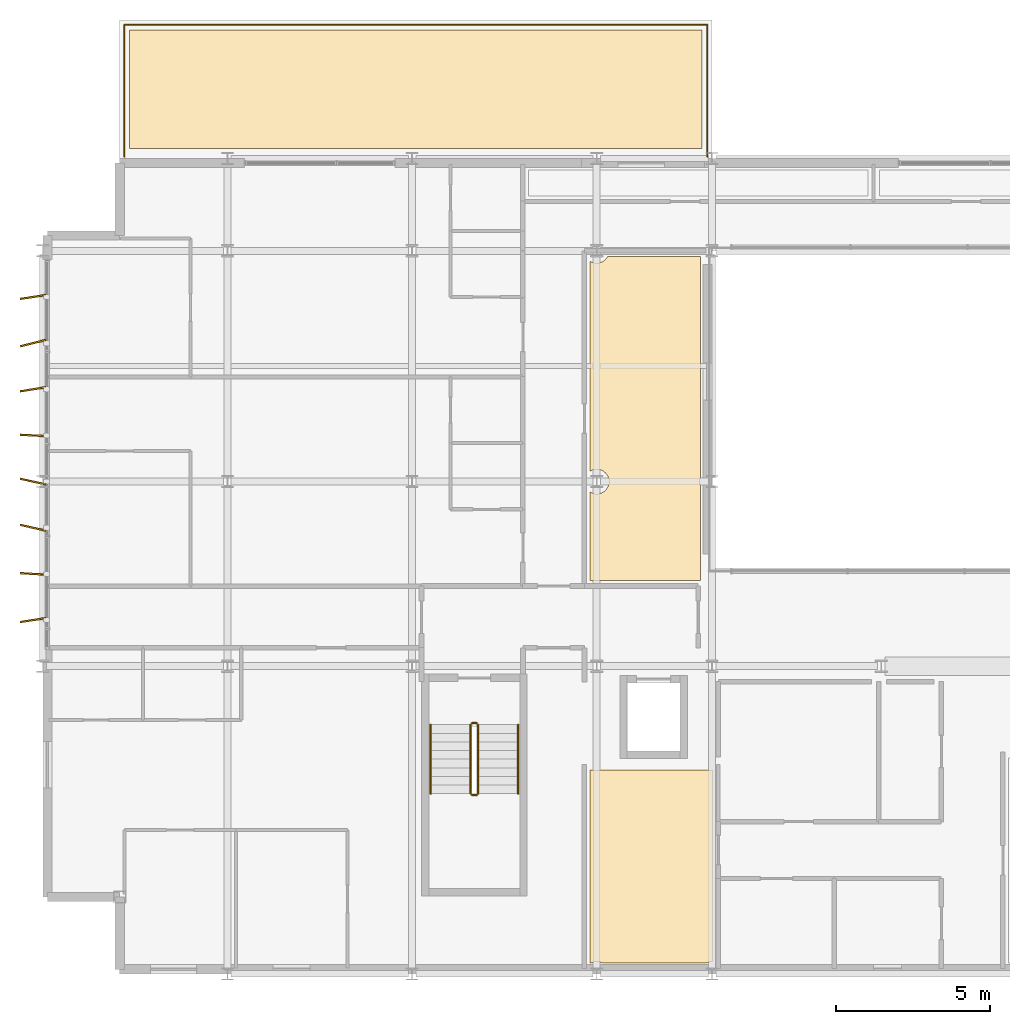
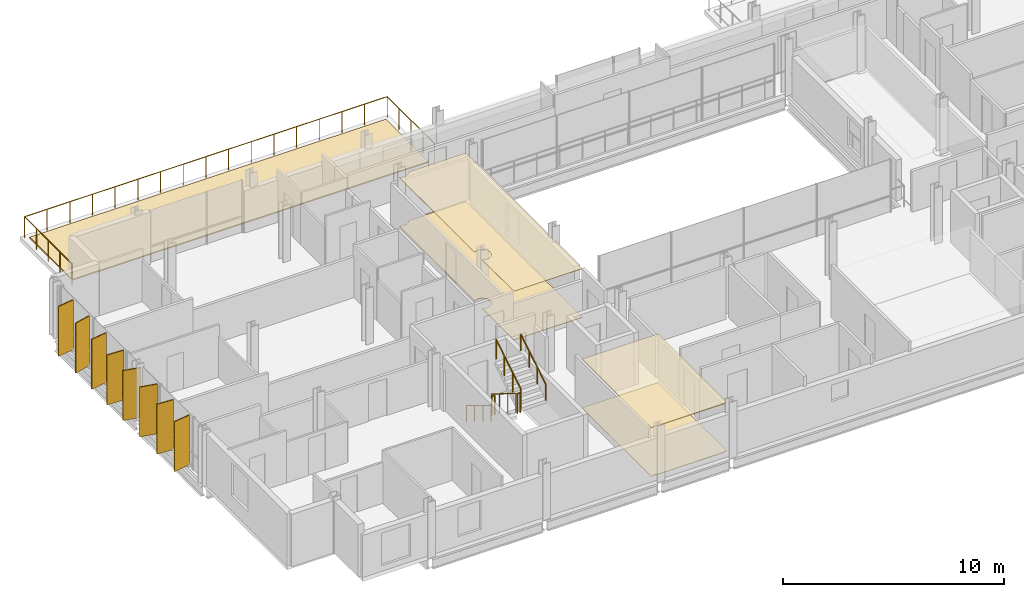
# One storey, part 35 of 38: 8 shading devices, 7 railings, 5 coverings.
"""IFC4 building model written with IfcOpenShell, lengths in metres."""

from ifc_helpers import new_model, si_unit, direction, frame, origin, origin_2d, place, context, subcontext, project, spatial, polyline, rectangle, circle, outline, extrude, material, layer, layer_set, type_object, element, save


model = new_model("IFC4")

# Units and contexts
model_context = context("Model", 3, precision=1e-05, world=origin(), true_north=direction((0.0, 1.0)))
body_context = subcontext(model_context, "Body", "Model", "MODEL_VIEW")
ifc_project = project(units=[si_unit("LENGTHUNIT", "METRE"), si_unit("AREAUNIT", "SQUARE_METRE"), si_unit("VOLUMEUNIT", "CUBIC_METRE"), si_unit("PLANEANGLEUNIT", "RADIAN"), si_unit("MASSUNIT", "GRAM", prefix="KILO")], contexts=[model_context])

# Site, building, storey
site_placement = place(None, origin())
site = spatial("IfcSite", under=ifc_project, at=site_placement, CompositionType="ELEMENT")
building_placement = place(site_placement, origin())
building = spatial("IfcBuilding", under=site, at=building_placement, Name="Brevholm Reach", CompositionType="ELEMENT")
storey_placement = place(building_placement, frame((0.0, 0.0, 172.800048828125)))
storey = spatial("IfcBuildingStorey", under=building, at=storey_placement, Name="L52", CompositionType="ELEMENT", Elevation=172.800048828125)

# Coverings
ifc_material_1 = material(Name="Perforated Mineral-Fibre Class-A Acoustic Suspended Ceiling", Category="gypsum")
ifc_layer_1 = layer(ifc_material_1, 0.044921875)
ifc_layer_set_1 = layer_set([ifc_layer_1], Name="Perforated Mineral-Fibre Class-A Acoustic Suspended Ceiling")
covering_type_1 = type_object("IfcCoveringType", Name="COV-CLG-AC", PredefinedType="CEILING", material=ifc_layer_set_1)
covering_1_placement = place(storey_placement, frame((0.0, 0.0, 2.675048828125)))
element("IfcCovering", 1, at=covering_1_placement, inside=storey, type_object=covering_type_1, Name="L52 Suspended Ceiling L52-23", PredefinedType="CEILING", context=body_context, shape_type="SweptSolid", body=[
    extrude(outline(polyline([(21.76611328125, 6.6201171875), (21.76611328125, 0.399169921875), (21.75, 0.39990234375), (21.710693359375, 0.398193359375), (21.672119140625, 0.392333984375), (21.6337890625, 0.3828125), (21.596923828125, 0.36962890625), (21.57666015625, 0.360107421875), (18.17333984375, 0.360107421875), (18.153076171875, 0.36962890625), (18.1162109375, 0.3828125), (18.077880859375, 0.392333984375), (18.039306640625, 0.398193359375), (18.0, 0.39990234375), (17.960693359375, 0.398193359375), (17.922119140625, 0.392333984375), (17.8837890625, 0.3828125), (17.846923828125, 0.36962890625), (17.82666015625, 0.360107421875), (17.783935546875, 0.360107421875), (17.783935546875, 6.6201171875), (21.76611328125, 6.6201171875)])), origin(), (0.0, 0.0, 1.0), 0.044921875),
])
ifc_material_2 = material(Name="Moisture-Resistant Skimmed Gypsum Plasterboard Ceiling", Category="gypsum")
ifc_layer_2 = layer(ifc_material_2, 0.030029296875)
ifc_layer_set_2 = layer_set([ifc_layer_2], Name="Moisture-Resistant Skimmed Gypsum Plasterboard Ceiling")
covering_type_2 = type_object("IfcCoveringType", Name="COV-CLG-GYP", PredefinedType="CEILING", material=ifc_layer_set_2)
covering_2_placement = place(storey_placement, frame((0.0, 0.0, 2.68994140625)))
element("IfcCovering", 2, at=covering_2_placement, inside=storey, type_object=covering_type_2, Name="L52 Suspended Ceiling L52-54", PredefinedType="CEILING", context=body_context, shape_type="SweptSolid", body=[
    extrude(outline(polyline([(21.3701171875, 23.320068359375), (21.3701171875, 16.123779296875), (21.3671875, 16.1162109375), (21.357666015625, 16.077880859375), (21.351806640625, 16.039306640625), (21.35009765625, 16.0), (21.351806640625, 15.960693359375), (21.357666015625, 15.922119140625), (21.3671875, 15.8837890625), (21.3701171875, 15.876220703125), (21.3701171875, 12.783935546875), (17.783935546875, 12.783935546875), (17.783935546875, 15.663818359375), (17.811279296875, 15.647216796875), (17.846923828125, 15.63037109375), (17.8837890625, 15.6171875), (17.922119140625, 15.607666015625), (17.960693359375, 15.601806640625), (18.0, 15.60009765625), (18.039306640625, 15.601806640625), (18.077880859375, 15.607666015625), (18.1162109375, 15.6171875), (18.153076171875, 15.63037109375), (18.188720703125, 15.647216796875), (18.22216796875, 15.66748046875), (18.25390625, 15.69091796875), (18.28271484375, 15.71728515625), (18.30908203125, 15.74609375), (18.33251953125, 15.77783203125), (18.352783203125, 15.811279296875), (18.36962890625, 15.846923828125), (18.3828125, 15.8837890625), (18.392333984375, 15.922119140625), (18.398193359375, 15.960693359375), (18.39990234375, 16.0), (18.398193359375, 16.039306640625), (18.392333984375, 16.077880859375), (18.3828125, 16.1162109375), (18.36962890625, 16.153076171875), (18.352783203125, 16.188720703125), (18.33251953125, 16.22216796875), (18.30908203125, 16.25390625), (18.28271484375, 16.28271484375), (18.25390625, 16.30908203125), (18.22216796875, 16.33251953125), (18.188720703125, 16.352783203125), (18.153076171875, 16.36962890625), (18.1162109375, 16.3828125), (18.077880859375, 16.392333984375), (18.039306640625, 16.398193359375), (18.0, 16.39990234375), (17.960693359375, 16.398193359375), (17.922119140625, 16.392333984375), (17.8837890625, 16.3828125), (17.846923828125, 16.36962890625), (17.811279296875, 16.352783203125), (17.783935546875, 16.336181640625), (17.783935546875, 23.163818359375), (17.811279296875, 23.147216796875), (17.846923828125, 23.13037109375), (17.8837890625, 23.1171875), (17.922119140625, 23.107666015625), (17.960693359375, 23.101806640625), (18.0, 23.10009765625), (18.039306640625, 23.101806640625), (18.077880859375, 23.107666015625), (18.1162109375, 23.1171875), (18.153076171875, 23.13037109375), (18.188720703125, 23.147216796875), (18.22216796875, 23.16748046875), (18.25390625, 23.19091796875), (18.28271484375, 23.21728515625), (18.30908203125, 23.24609375), (18.33251953125, 23.27783203125), (18.352783203125, 23.311279296875), (18.356689453125, 23.320068359375), (21.3701171875, 23.320068359375)])), origin(), (0.0, 0.0, 1.0), 0.030029296875),
])
ifc_material_3 = material(Name="Engineered European Oak Acoustic Plank Flooring", Category="timber")
ifc_layer_3 = layer(ifc_material_3, 0.02197265625)
ifc_layer_set_3 = layer_set([ifc_layer_3], Name="Engineered European Oak Acoustic Plank Flooring")
covering_type_3 = type_object("IfcCoveringType", Name="COV-FLR-OAK", PredefinedType="FLOORING", material=ifc_layer_set_3)
covering_3_placement = place(storey_placement, origin())
element("IfcCovering", 3, at=covering_3_placement, inside=storey, type_object=covering_type_3, Name="L52 Floor Finish L52-23", PredefinedType="FLOORING", context=body_context, shape_type="SweptSolid", body=[
    extrude(outline(polyline([(21.76611328125, 6.6201171875), (21.76611328125, 0.399169921875), (21.75, 0.39990234375), (21.710693359375, 0.398193359375), (21.672119140625, 0.392333984375), (21.6337890625, 0.3828125), (21.596923828125, 0.36962890625), (21.57666015625, 0.360107421875), (18.17333984375, 0.360107421875), (18.153076171875, 0.36962890625), (18.1162109375, 0.3828125), (18.077880859375, 0.392333984375), (18.039306640625, 0.398193359375), (18.0, 0.39990234375), (17.960693359375, 0.398193359375), (17.922119140625, 0.392333984375), (17.8837890625, 0.3828125), (17.846923828125, 0.36962890625), (17.82666015625, 0.360107421875), (17.783935546875, 0.360107421875), (17.783935546875, 6.6201171875), (21.76611328125, 6.6201171875)])), origin(), (0.0, 0.0, 1.0), 0.02197265625),
])
ifc_material_4 = material(Name="Honed Portland-Aggregate Resin Terrazzo Flooring", Category="concrete")
ifc_layer_4 = layer(ifc_material_4, 0.031982421875)
ifc_layer_set_4 = layer_set([ifc_layer_4], Name="Honed Portland-Aggregate Resin Terrazzo Flooring")
covering_type_4 = type_object("IfcCoveringType", Name="COV-FLR-TRZ", PredefinedType="FLOORING", material=ifc_layer_set_4)
covering_4_placement = place(storey_placement, origin())
element("IfcCovering", 4, at=covering_4_placement, inside=storey, type_object=covering_type_4, Name="L52 Floor Finish L52-54", PredefinedType="FLOORING", context=body_context, shape_type="SweptSolid", body=[
    extrude(outline(polyline([(21.3701171875, 23.320068359375), (21.3701171875, 16.123779296875), (21.3671875, 16.1162109375), (21.357666015625, 16.077880859375), (21.351806640625, 16.039306640625), (21.35009765625, 16.0), (21.351806640625, 15.960693359375), (21.357666015625, 15.922119140625), (21.3671875, 15.8837890625), (21.3701171875, 15.876220703125), (21.3701171875, 12.783935546875), (17.783935546875, 12.783935546875), (17.783935546875, 15.663818359375), (17.811279296875, 15.647216796875), (17.846923828125, 15.63037109375), (17.8837890625, 15.6171875), (17.922119140625, 15.607666015625), (17.960693359375, 15.601806640625), (18.0, 15.60009765625), (18.039306640625, 15.601806640625), (18.077880859375, 15.607666015625), (18.1162109375, 15.6171875), (18.153076171875, 15.63037109375), (18.188720703125, 15.647216796875), (18.22216796875, 15.66748046875), (18.25390625, 15.69091796875), (18.28271484375, 15.71728515625), (18.30908203125, 15.74609375), (18.33251953125, 15.77783203125), (18.352783203125, 15.811279296875), (18.36962890625, 15.846923828125), (18.3828125, 15.8837890625), (18.392333984375, 15.922119140625), (18.398193359375, 15.960693359375), (18.39990234375, 16.0), (18.398193359375, 16.039306640625), (18.392333984375, 16.077880859375), (18.3828125, 16.1162109375), (18.36962890625, 16.153076171875), (18.352783203125, 16.188720703125), (18.33251953125, 16.22216796875), (18.30908203125, 16.25390625), (18.28271484375, 16.28271484375), (18.25390625, 16.30908203125), (18.22216796875, 16.33251953125), (18.188720703125, 16.352783203125), (18.153076171875, 16.36962890625), (18.1162109375, 16.3828125), (18.077880859375, 16.392333984375), (18.039306640625, 16.398193359375), (18.0, 16.39990234375), (17.960693359375, 16.398193359375), (17.922119140625, 16.392333984375), (17.8837890625, 16.3828125), (17.846923828125, 16.36962890625), (17.811279296875, 16.352783203125), (17.783935546875, 16.336181640625), (17.783935546875, 23.163818359375), (17.811279296875, 23.147216796875), (17.846923828125, 23.13037109375), (17.8837890625, 23.1171875), (17.922119140625, 23.107666015625), (17.960693359375, 23.101806640625), (18.0, 23.10009765625), (18.039306640625, 23.101806640625), (18.077880859375, 23.107666015625), (18.1162109375, 23.1171875), (18.153076171875, 23.13037109375), (18.188720703125, 23.147216796875), (18.22216796875, 23.16748046875), (18.25390625, 23.19091796875), (18.28271484375, 23.21728515625), (18.30908203125, 23.24609375), (18.33251953125, 23.27783203125), (18.352783203125, 23.311279296875), (18.356689453125, 23.320068359375), (21.3701171875, 23.320068359375)])), origin(), (0.0, 0.0, 1.0), 0.031982421875),
])
ifc_material_5 = material(Name="SBS Polymer-Modified Bitumen Waterproofing and Paver Membrane", Category="membrane")
ifc_layer_5 = layer(ifc_material_5, 0.06494140625)
ifc_layer_set_5 = layer_set([ifc_layer_5], Name="SBS Polymer-Modified Bitumen Waterproofing and Paver Membrane")
covering_type_5 = type_object("IfcCoveringType", Name="COV-ROF-65", PredefinedType="ROOFING", material=ifc_layer_set_5)
covering_5_placement = place(storey_placement, frame((0.0, 0.0, 0.030029296875)))
element("IfcCovering", 5, at=covering_5_placement, inside=storey, type_object=covering_type_5, Name="L52 Waterproof Terrace Roofing Membrane 4", PredefinedType="ROOFING", context=body_context, shape_type="SweptSolid", body=[
    extrude(outline(polyline([(2.820068359375, 26.820068359375), (2.820068359375, 30.679931640625), (21.429931640625, 30.679931640625), (21.429931640625, 26.820068359375), (2.820068359375, 26.820068359375)])), origin(), (0.0, 0.0, 1.0), 0.06494140625),
])

# Railings
ifc_material_6 = material(Name="Brushed Stainless Steel EN 1.4401 Continuous Handrail", Category="steel")
railing_type_1 = type_object("IfcRailingType", Name="RAL-HND-950", PredefinedType="HANDRAIL", material=ifc_material_6)
railing_1_placement = place(storey_placement, frame((12.60009765625, 8.10009765625, 0.172119140625)))
element("IfcRailing", 6, at=railing_1_placement, inside=storey, type_object=railing_type_1, Name="L52 ST-1 stair handrail 1", PredefinedType="HANDRAIL", context=body_context, shape_type="SweptSolid", body=[
    extrude(circle(Radius=0.02392578125, at=origin_2d()), frame((0.0, 0.0, 0.8857421875), z_axis=(0.0, -0.851747552033, 0.523952390591), x_axis=(1.0, 0.0, 0.0)), (0.0, 0.0, 1.0), 2.6298828125),
    extrude(circle(Radius=0.02099609375, at=origin_2d()), origin(), (0.0, 0.0, 1.0), 0.86181640625),
    extrude(circle(Radius=0.02099609375, at=origin_2d()), frame((0.0, -0.74658203125, 0.459228515625)), (0.0, 0.0, 1.0), 0.86181640625),
    extrude(circle(Radius=0.02099609375, at=origin_2d()), frame((0.0, -1.493408203125, 0.918701171875)), (0.0, 0.0, 1.0), 0.86181640625),
    extrude(circle(Radius=0.02099609375, at=origin_2d()), frame((0.0, -2.239990234375, 1.3779296875)), (0.0, 0.0, 1.0), 0.86181640625),
])
railing_2_placement = place(storey_placement, frame((15.449951171875, 5.860107421875, 1.72216796875)))
element("IfcRailing", 7, at=railing_2_placement, inside=storey, type_object=railing_type_1, Name="L52 ST-1 stair handrail 2", PredefinedType="HANDRAIL", context=body_context, shape_type="SweptSolid", body=[
    extrude(circle(Radius=0.02392578125, at=origin_2d()), frame((0.0, 0.0, 0.8857421875), z_axis=(0.0, 0.85178898068, 0.523885037382), x_axis=(-1.0, 0.0, 0.0)), (0.0, 0.0, 1.0), 2.629638671875),
    extrude(circle(Radius=0.02099609375, at=origin_2d()), origin(), (0.0, 0.0, 1.0), 0.86181640625),
    extrude(circle(Radius=0.02099609375, at=origin_2d()), frame((0.0, 0.74658203125, 0.459228515625)), (0.0, 0.0, 1.0), 0.86181640625),
    extrude(circle(Radius=0.02099609375, at=origin_2d()), frame((0.0, 1.493408203125, 0.91845703125)), (0.0, 0.0, 1.0), 0.86181640625),
    extrude(circle(Radius=0.02099609375, at=origin_2d()), frame((0.0, 2.239990234375, 1.377685546875)), (0.0, 0.0, 1.0), 0.86181640625),
])
ifc_material_7 = material(Name="Painted Tubular Galvanised Steel S275JR Stair Guard", Category="steel")
railing_type_2 = type_object("IfcRailingType", Name="RAL-STG-1120", PredefinedType="BALUSTRADE", material=ifc_material_7)
railing_3_placement = place(storey_placement, frame((13.89990234375, 8.10009765625, 0.172119140625)))
element("IfcRailing", 8, at=railing_3_placement, inside=storey, type_object=railing_type_2, Name="L52 ST-1 stair guard 1", PredefinedType="BALUSTRADE", context=body_context, shape_type="SweptSolid", body=[
    extrude(circle(Radius=0.02392578125, at=origin_2d()), frame((0.0, 0.0, 1.076171875), z_axis=(0.0, -0.851747552033, 0.523952390591), x_axis=(1.0, 0.0, 0.0)), (0.0, 0.0, 1.0), 2.6298828125),
    extrude(circle(Radius=0.02099609375, at=origin_2d()), origin(), (0.0, 0.0, 1.0), 1.052001953125),
    extrude(circle(Radius=0.02099609375, at=origin_2d()), frame((0.0, -0.74658203125, 0.459228515625)), (0.0, 0.0, 1.0), 1.052001953125),
    extrude(circle(Radius=0.02099609375, at=origin_2d()), frame((0.0, -1.493408203125, 0.918701171875)), (0.0, 0.0, 1.0), 1.052001953125),
    extrude(circle(Radius=0.02099609375, at=origin_2d()), frame((0.0, -2.239990234375, 1.3779296875)), (0.0, 0.0, 1.0), 1.052001953125),
])
railing_4_placement = place(storey_placement, frame((13.949951171875, 5.81005859375, 1.550048828125)))
element("IfcRailing", 9, at=railing_4_placement, inside=storey, type_object=railing_type_2, Name="L52 ST-1 stair guard 2", PredefinedType="BALUSTRADE", context=body_context, shape_type="SweptSolid", body=[
    extrude(circle(Radius=0.02392578125, at=origin_2d()), frame((0.0, 0.0, 1.076171875), z_axis=(1.0, 0.0, 0.0), x_axis=(0.0, 1.0, 0.0)), (0.0, 0.0, 1.0), 0.150146484375),
    extrude(circle(Radius=0.02099609375, at=origin_2d()), origin(), (0.0, 0.0, 1.0), 1.052001953125),
    extrude(circle(Radius=0.02099609375, at=origin_2d()), frame((0.150146484375, 0.0, 0.0)), (0.0, 0.0, 1.0), 1.052001953125),
])
railing_5_placement = place(storey_placement, frame((14.14990234375, 5.860107421875, 1.72216796875)))
element("IfcRailing", 10, at=railing_5_placement, inside=storey, type_object=railing_type_2, Name="L52 ST-1 stair guard 3", PredefinedType="BALUSTRADE", context=body_context, shape_type="SweptSolid", body=[
    extrude(circle(Radius=0.02392578125, at=origin_2d()), frame((0.0, 0.0, 1.076171875), z_axis=(0.0, 0.85178898068, 0.523885037382), x_axis=(-1.0, 0.0, 0.0)), (0.0, 0.0, 1.0), 2.629638671875),
    extrude(circle(Radius=0.02099609375, at=origin_2d()), origin(), (0.0, 0.0, 1.0), 1.052001953125),
    extrude(circle(Radius=0.02099609375, at=origin_2d()), frame((0.0, 0.74658203125, 0.459228515625)), (0.0, 0.0, 1.0), 1.052001953125),
    extrude(circle(Radius=0.02099609375, at=origin_2d()), frame((0.0, 1.493408203125, 0.91845703125)), (0.0, 0.0, 1.0), 1.052001953125),
    extrude(circle(Radius=0.02099609375, at=origin_2d()), frame((0.0, 2.239990234375, 1.377685546875)), (0.0, 0.0, 1.0), 1.052001953125),
])
railing_6_placement = place(storey_placement, frame((13.949951171875, 8.14990234375, 0.0)))
element("IfcRailing", 11, at=railing_6_placement, inside=storey, type_object=railing_type_2, Name="L52 ST-1 stair guard 4", PredefinedType="BALUSTRADE", context=body_context, shape_type="SweptSolid", body=[
    extrude(circle(Radius=0.02392578125, at=origin_2d()), frame((0.0, 0.0, 1.076171875), z_axis=(1.0, 0.0, 0.0), x_axis=(0.0, 1.0, 0.0)), (0.0, 0.0, 1.0), 0.150146484375),
    extrude(circle(Radius=0.02099609375, at=origin_2d()), origin(), (0.0, 0.0, 1.0), 1.052001953125),
    extrude(circle(Radius=0.02099609375, at=origin_2d()), frame((0.150146484375, 0.0, 0.0)), (0.0, 0.0, 1.0), 1.052001953125),
])
ifc_material_8 = material(Name="Brushed Stainless Steel EN 1.4401 and Laminated Glass", Category="steel")
railing_type_3 = type_object("IfcRailingType", Name="RAL-TERR-1200", PredefinedType="BALUSTRADE", material=ifc_material_8)
railing_7_placement = place(storey_placement, frame((2.64990234375, 26.550048828125, 0.0)))
element("IfcRailing", 12, at=railing_7_placement, inside=storey, type_object=railing_type_3, Name="L52 Guard Balustrade RAL-L52-TERR-NW", PredefinedType="BALUSTRADE", context=body_context, shape_type="SweptSolid", body=[
    extrude(circle(Radius=0.02392578125, at=origin_2d()), frame((0.0, 0.0, 1.17578125), z_axis=(0.0, 1.0, 0.0), x_axis=(-1.0, 0.0, 0.0)), (0.0, 0.0, 1.0), 4.300048828125),
    extrude(circle(Radius=0.02392578125, at=origin_2d()), frame((0.0, 4.300048828125, 1.17578125), z_axis=(1.0, 0.0, 0.0), x_axis=(0.0, 1.0, 0.0)), (0.0, 0.0, 1.0), 18.9501953125),
    extrude(circle(Radius=0.02392578125, at=origin_2d()), frame((18.9501953125, 4.300048828125, 1.17578125), z_axis=(0.0, -1.0, 0.0), x_axis=(1.0, 0.0, 0.0)), (0.0, 0.0, 1.0), 4.300048828125),
    extrude(circle(Radius=0.02099609375, at=origin_2d()), origin(), (0.0, 0.0, 1.0), 1.15185546875),
    extrude(circle(Radius=0.02099609375, at=origin_2d()), frame((0.0, 1.074951171875, 0.0)), (0.0, 0.0, 1.0), 1.15185546875),
    extrude(circle(Radius=0.02099609375, at=origin_2d()), frame((0.0, 2.14990234375, 0.0)), (0.0, 0.0, 1.0), 1.15185546875),
    extrude(circle(Radius=0.02099609375, at=origin_2d()), frame((0.0, 3.22509765625, 0.0)), (0.0, 0.0, 1.0), 1.15185546875),
    extrude(circle(Radius=0.02099609375, at=origin_2d()), frame((0.0, 4.300048828125, 0.0)), (0.0, 0.0, 1.0), 1.15185546875),
    extrude(circle(Radius=0.02099609375, at=origin_2d()), frame((1.184326171875, 4.300048828125, 0.0)), (0.0, 0.0, 1.0), 1.15185546875),
    extrude(circle(Radius=0.02099609375, at=origin_2d()), frame((2.36865234375, 4.300048828125, 0.0)), (0.0, 0.0, 1.0), 1.15185546875),
    extrude(circle(Radius=0.02099609375, at=origin_2d()), frame((3.55322265625, 4.300048828125, 0.0)), (0.0, 0.0, 1.0), 1.15185546875),
    extrude(circle(Radius=0.02099609375, at=origin_2d()), frame((4.737548828125, 4.300048828125, 0.0)), (0.0, 0.0, 1.0), 1.15185546875),
    extrude(circle(Radius=0.02099609375, at=origin_2d()), frame((5.921875, 4.300048828125, 0.0)), (0.0, 0.0, 1.0), 1.15185546875),
    extrude(circle(Radius=0.02099609375, at=origin_2d()), frame((7.1064453125, 4.300048828125, 0.0)), (0.0, 0.0, 1.0), 1.15185546875),
    extrude(circle(Radius=0.02099609375, at=origin_2d()), frame((8.290771484375, 4.300048828125, 0.0)), (0.0, 0.0, 1.0), 1.15185546875),
    extrude(circle(Radius=0.02099609375, at=origin_2d()), frame((9.47509765625, 4.300048828125, 0.0)), (0.0, 0.0, 1.0), 1.15185546875),
    extrude(circle(Radius=0.02099609375, at=origin_2d()), frame((10.659423828125, 4.300048828125, 0.0)), (0.0, 0.0, 1.0), 1.15185546875),
    extrude(circle(Radius=0.02099609375, at=origin_2d()), frame((11.84375, 4.300048828125, 0.0)), (0.0, 0.0, 1.0), 1.15185546875),
    extrude(circle(Radius=0.02099609375, at=origin_2d()), frame((13.0283203125, 4.300048828125, 0.0)), (0.0, 0.0, 1.0), 1.15185546875),
    extrude(circle(Radius=0.02099609375, at=origin_2d()), frame((14.212646484375, 4.300048828125, 0.0)), (0.0, 0.0, 1.0), 1.15185546875),
    extrude(circle(Radius=0.02099609375, at=origin_2d()), frame((15.39697265625, 4.300048828125, 0.0)), (0.0, 0.0, 1.0), 1.15185546875),
    extrude(circle(Radius=0.02099609375, at=origin_2d()), frame((16.58154296875, 4.300048828125, 0.0)), (0.0, 0.0, 1.0), 1.15185546875),
    extrude(circle(Radius=0.02099609375, at=origin_2d()), frame((17.765869140625, 4.300048828125, 0.0)), (0.0, 0.0, 1.0), 1.15185546875),
    extrude(circle(Radius=0.02099609375, at=origin_2d()), frame((18.9501953125, 4.300048828125, 0.0)), (0.0, 0.0, 1.0), 1.15185546875),
    extrude(circle(Radius=0.02099609375, at=origin_2d()), frame((18.9501953125, 3.22509765625, 0.0)), (0.0, 0.0, 1.0), 1.15185546875),
    extrude(circle(Radius=0.02099609375, at=origin_2d()), frame((18.9501953125, 2.14990234375, 0.0)), (0.0, 0.0, 1.0), 1.15185546875),
    extrude(circle(Radius=0.02099609375, at=origin_2d()), frame((18.9501953125, 1.074951171875, 0.0)), (0.0, 0.0, 1.0), 1.15185546875),
    extrude(circle(Radius=0.02099609375, at=origin_2d()), frame((18.9501953125, 0.0, 0.0)), (0.0, 0.0, 1.0), 1.15185546875),
])

# Shading devices
ifc_material_9 = material(Name="Perforated Champagne-Bronze Anodised Aluminium", Category="aluminium")
ifc_layer_6 = layer(ifc_material_9, 0.054931640625)
ifc_layer_set_6 = layer_set([ifc_layer_6], Name="Perforated Champagne-Bronze Anodised Aluminium")
shading_device_type = type_object("IfcShadingDeviceType", Name="SHD-FIN-850", PredefinedType="USERDEFINED", material=ifc_layer_set_6)
for number, where, z_axis, x_axis, name in (
    (13, (-0.31494140625, 11.5, 0.070068359375), (0.0, 0.0, 1.0), (-0.989098261455, -0.147257017444, 0.0), "L52 Perforated Solar Screen Fin 1"),
    (14, (-0.31494140625, 13.0, 0.070068359375), (0.0, 0.0, 1.0), (-0.998201321398, 0.059950996319, 0.0), "L52 Perforated Solar Screen Fin 2"),
    (15, (-0.31494140625, 14.5, 0.070068359375), (0.0, 0.0, 1.0), (-0.975326910544, 0.220765526223, 0.0), "L52 Perforated Solar Screen Fin 3"),
    (16, (-0.31494140625, 16.0, 0.070068359375), (0.0, 0.0, 1.0), (-0.976424273069, 0.215860230151, 0.0), "L52 Perforated Solar Screen Fin 4"),
    (17, (-0.31494140625, 17.5, 0.070068359375), (0.0, 0.0, 1.0), (-0.99881294832, 0.048710309674, 0.0), "L52 Perforated Solar Screen Fin 5"),
    (18, (-0.31494140625, 19.0, 0.070068359375), (0.0, 0.0, 1.0), (-0.987729261194, -0.156175883479, 0.0), "L52 Perforated Solar Screen Fin 6"),
    (19, (-0.31494140625, 20.5, 0.070068359375), (0.0, 0.0, 1.0), (-0.970312613246, -0.24185415559, 0.0), "L52 Perforated Solar Screen Fin 7"),
    (20, (-0.31494140625, 22.0, 0.070068359375), (0.0, 0.0, 1.0), (-0.989098261455, -0.147257017444, 0.0), "L52 Perforated Solar Screen Fin 8"),
):
    element("IfcShadingDevice", number, at=place(storey_placement, frame(where, z_axis=z_axis, x_axis=x_axis)), inside=storey, type_object=shading_device_type, Name=name, ObjectType="SCREEN", PredefinedType="USERDEFINED", context=body_context, shape_type="SweptSolid", body=[
        extrude(rectangle(XDim=0.85009765625, YDim=0.054931640625, at=origin_2d()), origin(), (0.0, 0.0, 1.0), 2.75),
    ])

save(model, "model.ifc")
